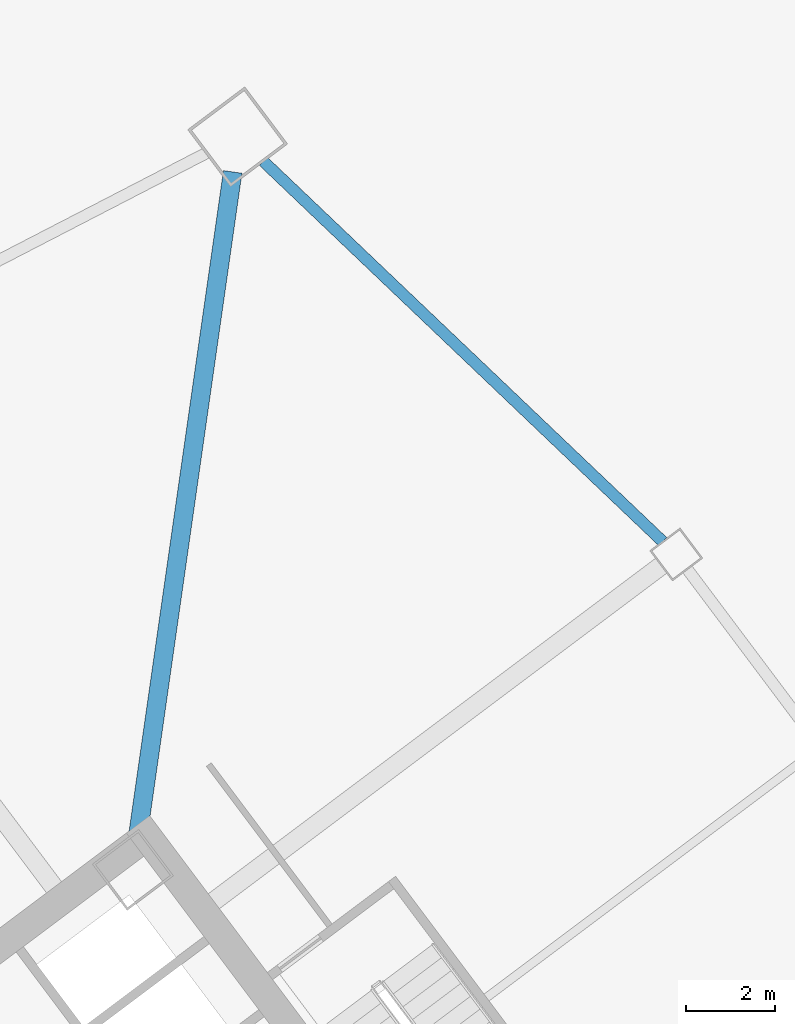
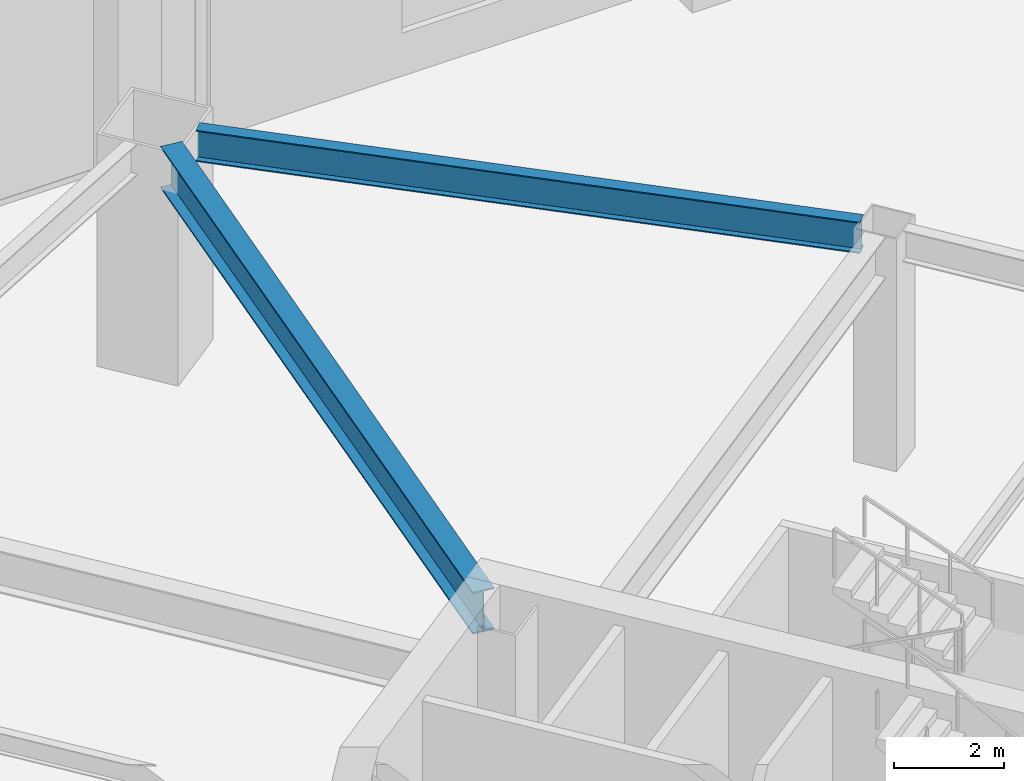
# One storey, part 26 of 48: 2 beams.
"""IFC4 building model written with IfcOpenShell, lengths in metres."""

from ifc_helpers import new_model, si_unit, direction, frame, origin, origin_2d, place, context, subcontext, project, spatial, i_section, extrude, material, material_profile, profile_set, type_object, element, save


model = new_model("IFC4")

# Units and contexts
model_context = context("Model", 3, precision=1e-05, world=origin(), true_north=direction((0.0, 1.0)))
body_context = subcontext(model_context, "Body", "Model", "MODEL_VIEW")
ifc_project = project(units=[si_unit("LENGTHUNIT", "METRE"), si_unit("AREAUNIT", "SQUARE_METRE"), si_unit("VOLUMEUNIT", "CUBIC_METRE"), si_unit("PLANEANGLEUNIT", "RADIAN"), si_unit("MASSUNIT", "GRAM", prefix="KILO")], contexts=[model_context])

# Site, building, storey
site_placement = place(None, origin())
site = spatial("IfcSite", under=ifc_project, at=site_placement, CompositionType="ELEMENT")
building_placement = place(site_placement, origin())
building = spatial("IfcBuilding", under=site, at=building_placement, Name="Tashvorn Skyway Center", CompositionType="ELEMENT")
storey_placement = place(building_placement, frame((0.0, 0.0, 10.199951171875)))
storey = spatial("IfcBuildingStorey", under=building, at=storey_placement, Name="L02", CompositionType="ELEMENT", Elevation=10.199951171875)

# Beams
ifc_material_1 = material(Name="Steel ASTM A913 Grade 65", Category="steel")
ifc_material_profile_1 = material_profile(ifc_material_1, i_section(OverallWidth=0.4189453125, OverallDepth=0.927001953125, WebThickness=0.019287109375, FlangeThickness=0.031982421875, at=origin_2d()), Name="W36X231")
ifc_profile_set_1 = profile_set([ifc_material_profile_1], Name="Steel ASTM A913 Grade 65")
beam_type_1 = type_object("IfcBeamType", Name="BM-BEAM-W36X231", PredefinedType="BEAM", material=ifc_profile_set_1)
beam_1_placement = place(storey_placement, frame((117.6474609375, 57.532958984375, 4.676513671875), z_axis=(-0.141414599991, -0.989950458816, 0.0), x_axis=(0.989950458816, -0.141414599991, 0.0)))
element("IfcBeam", 1, at=beam_1_placement, inside=storey, type_object=beam_type_1, Name="Tower 2 L02 Primary Floor Girder MC-NE", PredefinedType="BEAM", context=body_context, shape_type="SweptSolid", body=[
    extrude(i_section(OverallWidth=0.4189453125, OverallDepth=0.927001953125, WebThickness=0.019287109375, FlangeThickness=0.031982421875, at=origin_2d()), origin(), (0.0, 0.0, 1.0), 15.177001953125),
])
ifc_material_2 = material(Name="Steel ASTM A992 Grade 50", Category="steel")
ifc_material_profile_2 = material_profile(ifc_material_2, i_section(OverallWidth=0.256103515625, OverallDepth=0.693115234375, WebThickness=0.014404296875, FlangeThickness=0.023681640625, at=origin_2d()), Name="W27X114")
ifc_profile_set_2 = profile_set([ifc_material_profile_2], Name="Steel ASTM A992 Grade 50")
beam_type_2 = type_object("IfcBeamType", Name="BM-SPANDREL-W27X114", PredefinedType="SPANDREL", material=ifc_profile_set_2)
beam_2_placement = place(storey_placement, frame((127.2958984375, 49.23974609375, 4.79345703125), z_axis=(-0.724200339835, 0.689589637236, 0.0), x_axis=(-0.689589637236, -0.724200339835, 0.0)))
element("IfcBeam", 2, at=beam_2_placement, inside=storey, type_object=beam_type_2, Name="Tower 2 L02 Spandrel Beam 06", PredefinedType="SPANDREL", context=body_context, shape_type="SweptSolid", body=[
    extrude(i_section(OverallWidth=0.256103515625, OverallDepth=0.693115234375, WebThickness=0.014404296875, FlangeThickness=0.023681640625, at=origin_2d()), origin(), (0.0, 0.0, 1.0), 12.37255859375),
])

save(model, "model.ifc")
